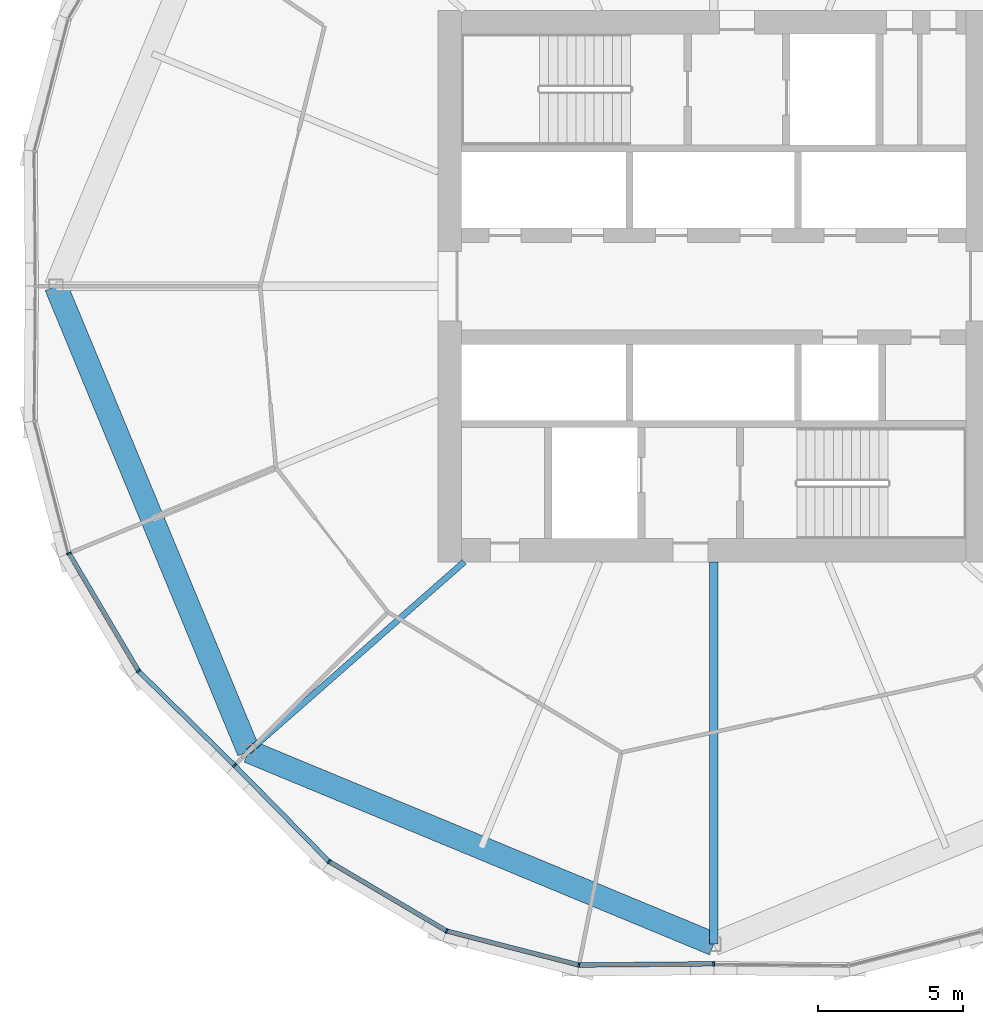
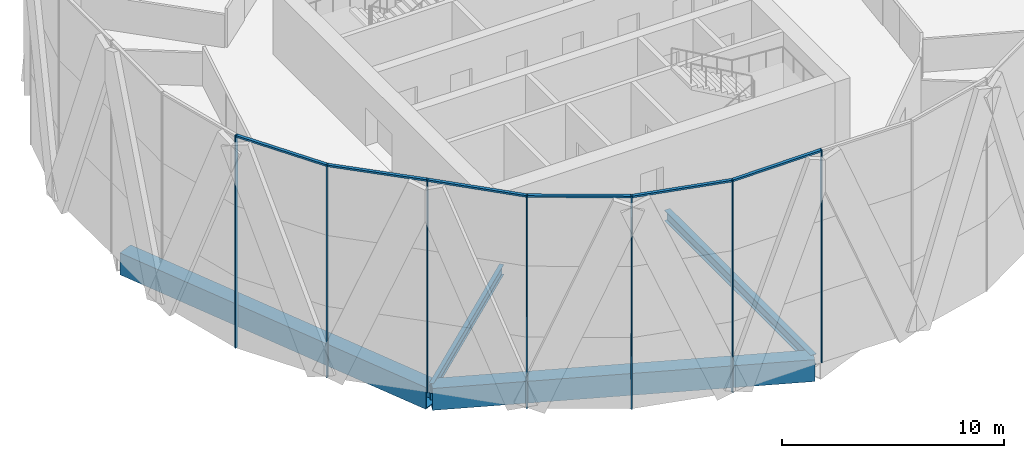
# One storey, part 3 of 26: 13 members, 4 beams, 2 elements without a shape of their own.
"""IFC4 building model written with IfcOpenShell, lengths in metres."""

from ifc_helpers import new_model, si_unit, direction, frame, origin, origin_2d, place, context, subcontext, project, spatial, rectangle, hollow_rectangle, i_section, extrude, material, material_profile, profile_set, type_object, element, aggregate, save


model = new_model("IFC4")

# Units and contexts
model_context = context("Model", 3, precision=1e-05, world=origin(), true_north=direction((0.0, 1.0)))
body_context = subcontext(model_context, "Body", "Model", "MODEL_VIEW")
ifc_project = project(units=[si_unit("LENGTHUNIT", "METRE"), si_unit("AREAUNIT", "SQUARE_METRE"), si_unit("VOLUMEUNIT", "CUBIC_METRE"), si_unit("PLANEANGLEUNIT", "RADIAN"), si_unit("MASSUNIT", "GRAM", prefix="KILO")], contexts=[model_context])

# Site, building, storey
site_placement = place(None, origin())
site = spatial("IfcSite", under=ifc_project, at=site_placement, CompositionType="ELEMENT")
building_placement = place(site_placement, origin())
building = spatial("IfcBuilding", under=site, at=building_placement, Name="Ogive Gate Towers", CompositionType="ELEMENT")
storey_placement = place(building_placement, frame((0.0, 0.0, 87.89990234375)))
storey = spatial("IfcBuildingStorey", under=building, at=storey_placement, Name="L20", CompositionType="ELEMENT", Elevation=87.89990234375)

# Beams
ifc_material_1 = material(Name="Steel SM460", Category="steel")
ifc_material_profile_1 = material_profile(ifc_material_1, hollow_rectangle(XDim=0.800048828125, YDim=1.199951171875, WallThickness=0.050048828125, at=origin_2d()), Name="BX 1200x800x50")
ifc_profile_set_1 = profile_set([ifc_material_profile_1], Name="Steel SM460")
beam_type_1 = type_object("IfcBeamType", Name="Edge girder BX 1200x800x50", PredefinedType="BEAM", material=ifc_profile_set_1)
for number, where, z_axis, x_axis, name in (
    (1, (-52.030029296875, -16.030029296875, -0.89990234375), (0.923878777792, -0.382685254414, 0.0), (0.382685254414, 0.923878777792, 0.0), "T1/L20/SBM017"),
    (2, (-58.669921875, 0.0, -0.89990234375), (0.382685254414, -0.923878777792, 0.0), (0.923878777792, 0.382685254414, 0.0), "T1/L20/SBM024"),
):
    element("IfcBeam", number, at=place(storey_placement, frame(where, z_axis=z_axis, x_axis=x_axis)), inside=storey, type_object=beam_type_1, Name=name, PredefinedType="BEAM", context=body_context, shape_type="SweptSolid", body=[
        extrude(hollow_rectangle(XDim=0.800048828125, YDim=1.199951171875, WallThickness=0.050048828125, at=origin_2d()), origin(), (0.0, 0.0, 1.0), 17.350830078125),
    ])
ifc_material_2 = material(Name="Steel SM355", Category="steel")
ifc_material_profile_2 = material_profile(ifc_material_2, i_section(OverallWidth=0.300048828125, OverallDepth=0.590087890625, WebThickness=0.012939453125, FlangeThickness=0.02490234375, FilletRadius=0.027099609375, at=origin_2d()), Name="HE 600 A")
ifc_profile_set_2 = profile_set([ifc_material_profile_2], Name="Steel SM355")
beam_type_2 = type_object("IfcBeamType", Name="Radial floor beam HE 600 A", PredefinedType="BEAM", material=ifc_profile_set_2)
beam_1_placement = place(storey_placement, frame((-36.0, -9.5, -0.594970703125), z_axis=(0.0, -1.0, 0.0), x_axis=(1.0, 0.0, 0.0)))
element("IfcBeam", 3, at=beam_1_placement, inside=storey, type_object=beam_type_2, Name="T1/L20/SBM003", PredefinedType="BEAM", context=body_context, shape_type="SweptSolid", body=[
    extrude(i_section(OverallWidth=0.300048828125, OverallDepth=0.590087890625, WebThickness=0.012939453125, FlangeThickness=0.02490234375, FilletRadius=0.027099609375, at=origin_2d()), origin(), (0.0, 0.0, 1.0), 13.169921875),
])
ifc_material_profile_3 = material_profile(ifc_material_2, i_section(OverallWidth=0.2099609375, OverallDepth=0.550048828125, WebThickness=0.010986328125, FlangeThickness=0.01708984375, FilletRadius=0.02392578125, at=origin_2d()), Name="IPE 550")
ifc_profile_set_3 = profile_set([ifc_material_profile_3], Name="Steel SM355")
beam_type_3 = type_object("IfcBeamType", Name="Radial floor beam IPE 550", PredefinedType="BEAM", material=ifc_profile_set_3)
beam_2_placement = place(storey_placement, frame((-44.60009765625, -9.5, -0.574951171875), z_axis=(-0.751130036477, -0.660154276137, 0.0), x_axis=(0.660154276137, -0.751130036477, 0.0)))
element("IfcBeam", 4, at=beam_2_placement, inside=storey, type_object=beam_type_3, Name="T1/L20/SBM001", PredefinedType="BEAM", context=body_context, shape_type="SweptSolid", body=[
    extrude(i_section(OverallWidth=0.2099609375, OverallDepth=0.550048828125, WebThickness=0.010986328125, FlangeThickness=0.01708984375, FilletRadius=0.02392578125, at=origin_2d()), origin(), (0.0, 0.0, 1.0), 9.8916015625),
])

# Curtain wall, members
ifc_material_3 = material(Name="Pale metal aluminium", Category="aluminium")
curtain_wall_type = type_object("IfcCurtainWallType", Name="Tower unitised wall, low zone", PredefinedType="NOTDEFINED", material=ifc_material_3)
curtain_wall_1_placement = place(storey_placement, origin())
curtain_wall_1 = element("IfcCurtainWall", 5, at=curtain_wall_1_placement, inside=storey, type_object=curtain_wall_type, Name="CW1 T1 ECW05", PredefinedType="NOTDEFINED")
ifc_material_profile_4 = material_profile(ifc_material_3, rectangle(XDim=0.159912109375, YDim=0.06005859375, at=origin_2d()), Name="60 x 160 aluminium box")
ifc_profile_set_4 = profile_set([ifc_material_profile_4], Name="Pale metal aluminium")
member_type_1 = type_object("IfcMemberType", Name="Tower unitised wall, low zone mullion 60 x 160", PredefinedType="MULLION", material=ifc_profile_set_4)
member_1_placement = place(storey_placement, frame((-58.22021484375, -9.203857421875, -0.2998046875), z_axis=(0.0, 0.0, 1.0), x_axis=(-0.923879532511, -0.382683432365, 0.0)))
member_1 = element("IfcMember", 6, at=member_1_placement, type_object=member_type_1, Name="CW1 mullion", PredefinedType="MULLION", context=body_context, shape_type="SweptSolid", body=[
    extrude(rectangle(XDim=0.159912109375, YDim=0.06005859375, at=origin_2d()), origin(), (0.0, 0.0, 1.0), 11.699951171875),
])
member_2_placement = place(storey_placement, frame((-55.827880859375, -13.255859375, -0.2998046875), z_axis=(0.0, 0.0, 1.0), x_axis=(-0.787494701787, -0.616321421546, 0.0)))
member_2 = element("IfcMember", 7, at=member_2_placement, type_object=member_type_1, Name="CW1 mullion", PredefinedType="MULLION", context=body_context, shape_type="SweptSolid", body=[
    extrude(rectangle(XDim=0.159912109375, YDim=0.06005859375, at=origin_2d()), origin(), (0.0, 0.0, 1.0), 11.699951171875),
])
member_3_placement = place(storey_placement, frame((-52.510986328125, -16.5107421875, -0.2998046875), z_axis=(0.0, 0.0, 1.0), x_axis=(-0.700473433647, -0.713678477155, 0.0)))
member_3 = element("IfcMember", 8, at=member_3_placement, type_object=member_type_1, Name="CW1 mullion", PredefinedType="MULLION", context=body_context, shape_type="SweptSolid", body=[
    extrude(rectangle(XDim=0.159912109375, YDim=0.06005859375, at=origin_2d()), origin(), (0.0, 0.0, 1.0), 11.699951171875),
])

curtain_wall_2_placement = place(storey_placement, origin())
curtain_wall_2 = element("IfcCurtainWall", 9, at=curtain_wall_2_placement, inside=storey, type_object=curtain_wall_type, Name="CW1 T1 ECW06", PredefinedType="NOTDEFINED")
member_4_placement = place(storey_placement, frame((-49.255859375, -19.827880859375, -0.2998046875), z_axis=(0.0, 0.0, 1.0), x_axis=(-0.616321421546, -0.787494701787, 0.0)))
member_4 = element("IfcMember", 10, at=member_4_placement, type_object=member_type_1, Name="CW1 mullion", PredefinedType="MULLION", context=body_context, shape_type="SweptSolid", body=[
    extrude(rectangle(XDim=0.159912109375, YDim=0.06005859375, at=origin_2d()), origin(), (0.0, 0.0, 1.0), 11.699951171875),
])
member_5_placement = place(storey_placement, frame((-45.203857421875, -22.22021484375, -0.2998046875), z_axis=(0.0, 0.0, 1.0), x_axis=(-0.382683432365, -0.923879532511, 0.0)))
member_5 = element("IfcMember", 11, at=member_5_placement, type_object=member_type_1, Name="CW1 mullion", PredefinedType="MULLION", context=body_context, shape_type="SweptSolid", body=[
    extrude(rectangle(XDim=0.159912109375, YDim=0.06005859375, at=origin_2d()), origin(), (0.0, 0.0, 1.0), 11.699951171875),
])
member_6_placement = place(storey_placement, frame((-40.647216796875, -23.3935546875, -0.2998046875), z_axis=(0.0, 0.0, 1.0), x_axis=(-0.121037787217, -0.992647900348, 0.0)))
member_6 = element("IfcMember", 12, at=member_6_placement, type_object=member_type_1, Name="CW1 mullion", PredefinedType="MULLION", context=body_context, shape_type="SweptSolid", body=[
    extrude(rectangle(XDim=0.159912109375, YDim=0.06005859375, at=origin_2d()), origin(), (0.0, 0.0, 1.0), 11.699951171875),
])
member_7_placement = place(storey_placement, frame((-36.000244140625, -23.35009765625, -0.2998046875), z_axis=(0.0, 0.0, 1.0), x_axis=(0.009337375811, -0.999956405756, 0.0)))
member_7 = element("IfcMember", 13, at=member_7_placement, type_object=member_type_1, Name="CW1 mullion", PredefinedType="MULLION", context=body_context, shape_type="SweptSolid", body=[
    extrude(rectangle(XDim=0.159912109375, YDim=0.06005859375, at=origin_2d()), origin(), (0.0, 0.0, 1.0), 11.699951171875),
])

# Member
ifc_material_profile_5 = material_profile(ifc_material_3, rectangle(XDim=0.159912109375, YDim=0.10009765625, at=origin_2d()), Name="100 x 160 aluminium box")
ifc_profile_set_5 = profile_set([ifc_material_profile_5], Name="Pale metal aluminium")
member_type_2 = type_object("IfcMemberType", Name="Tower unitised wall, low zone transom 100 x 160", PredefinedType="USERDEFINED", material=ifc_profile_set_5)
member_8_placement = place(storey_placement, frame((-58.206298828125, -9.227294921875, 11.35009765625), z_axis=(0.508446321339, -0.861093687305, 0.0), x_axis=(0.861093687305, 0.508446321339, 0.0)))
member_8 = element("IfcMember", 14, at=member_8_placement, type_object=member_type_2, Name="CW1 transom", ObjectType="TRANSOM", PredefinedType="USERDEFINED", context=body_context, shape_type="SweptSolid", body=[
    extrude(rectangle(XDim=0.159912109375, YDim=0.10009765625, at=origin_2d()), origin(), (0.0, 0.0, 1.0), 4.65087890625),
])

member_9_placement = place(storey_placement, frame((-55.80810546875, -13.27490234375, 11.35009765625), z_axis=(0.713698369312, -0.700453165916, 0.0), x_axis=(0.700453165916, 0.713698369312, 0.0)))
member_9 = element("IfcMember", 15, at=member_9_placement, type_object=member_type_2, Name="CW1 transom", ObjectType="TRANSOM", PredefinedType="USERDEFINED", context=body_context, shape_type="SweptSolid", body=[
    extrude(rectangle(XDim=0.159912109375, YDim=0.10009765625, at=origin_2d()), origin(), (0.0, 0.0, 1.0), 4.589599609375),
])

aggregate(curtain_wall_1, [member_1, member_2, member_8, member_3, member_9])

member_10_placement = place(storey_placement, frame((-52.48974609375, -16.532470703125, 11.35009765625), z_axis=(0.700453165916, -0.713698369312, 0.0), x_axis=(0.713698369312, 0.700453165916, 0.0)))
member_10 = element("IfcMember", 16, at=member_10_placement, type_object=member_type_2, Name="CW1 transom", ObjectType="TRANSOM", PredefinedType="USERDEFINED", context=body_context, shape_type="SweptSolid", body=[
    extrude(rectangle(XDim=0.159912109375, YDim=0.10009765625, at=origin_2d()), origin(), (0.0, 0.0, 1.0), 4.589599609375),
])

member_11_placement = place(storey_placement, frame((-49.232177734375, -19.841552734375, 11.35009765625), z_axis=(0.861093687305, -0.508446321339, 0.0), x_axis=(0.508446321339, 0.861093687305, 0.0)))
member_11 = element("IfcMember", 17, at=member_11_placement, type_object=member_type_2, Name="CW1 transom", ObjectType="TRANSOM", PredefinedType="USERDEFINED", context=body_context, shape_type="SweptSolid", body=[
    extrude(rectangle(XDim=0.159912109375, YDim=0.10009765625, at=origin_2d()), origin(), (0.0, 0.0, 1.0), 4.65087890625),
])

member_12_placement = place(storey_placement, frame((-45.177490234375, -22.226806640625, 11.35009765625), z_axis=(0.968401345103, -0.249396942248, 0.0), x_axis=(0.249396942248, 0.968401345103, 0.0)))
member_12 = element("IfcMember", 18, at=member_12_placement, type_object=member_type_2, Name="CW1 transom", ObjectType="TRANSOM", PredefinedType="USERDEFINED", context=body_context, shape_type="SweptSolid", body=[
    extrude(rectangle(XDim=0.159912109375, YDim=0.10009765625, at=origin_2d()), origin(), (0.0, 0.0, 1.0), 4.65087890625),
])

member_13_placement = place(storey_placement, frame((-40.61962890625, -23.39306640625, 11.35009765625), z_axis=(0.999956669412, 0.009309097625, 0.0), x_axis=(-0.009309097625, 0.999956669412, 0.0)))
member_13 = element("IfcMember", 19, at=member_13_placement, type_object=member_type_2, Name="CW1 transom", ObjectType="TRANSOM", PredefinedType="USERDEFINED", context=body_context, shape_type="SweptSolid", body=[
    extrude(rectangle(XDim=0.159912109375, YDim=0.10009765625, at=origin_2d()), origin(), (0.0, 0.0, 1.0), 4.589599609375),
])

aggregate(curtain_wall_2, [member_4, member_10, member_5, member_11, member_6, member_12, member_7, member_13])

save(model, "model.ifc")
